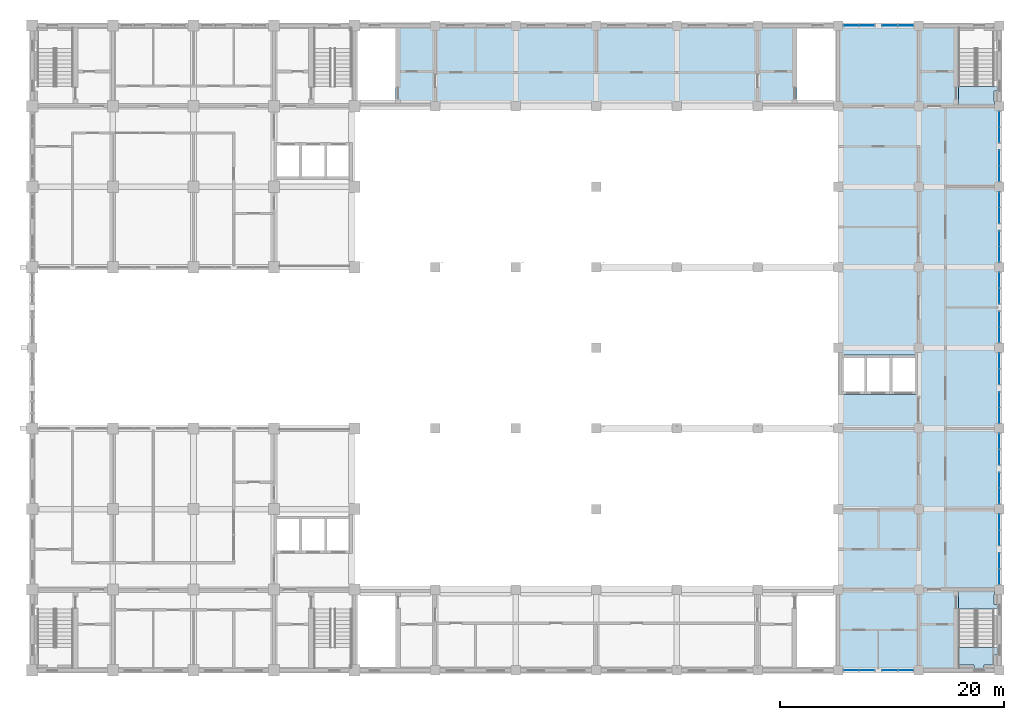
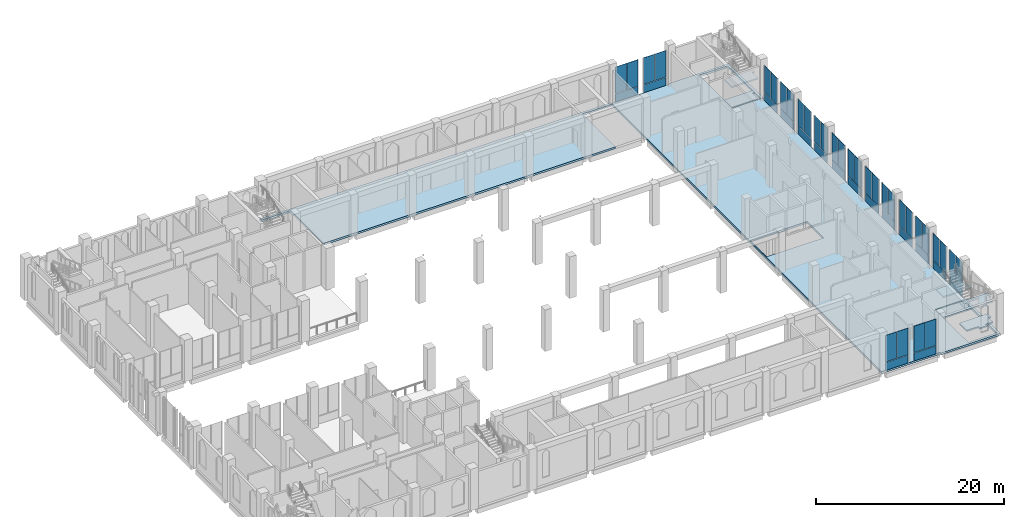
# One storey, part 25 of 48: 48 plates, 8 slabs, 18 elements without a shape of their own.
"""IFC4 building model written with IfcOpenShell, lengths in metres."""

from ifc_helpers import new_model, si_unit, direction, frame, origin, origin_2d, place, context, subcontext, project, spatial, polyline, rectangle, outline, extrude, material, layer, layer_set, type_object, element, aggregate, save


model = new_model("IFC4")

# Units and contexts
model_context = context("Model", 3, precision=1e-05, world=origin(), true_north=direction((0.0, 1.0)))
body_context = subcontext(model_context, "Body", "Model", "MODEL_VIEW")
ifc_project = project(units=[si_unit("LENGTHUNIT", "METRE"), si_unit("AREAUNIT", "SQUARE_METRE"), si_unit("VOLUMEUNIT", "CUBIC_METRE"), si_unit("PLANEANGLEUNIT", "RADIAN"), si_unit("MASSUNIT", "GRAM", prefix="KILO")], contexts=[model_context])

# Site, building, storey
site_placement = place(None, origin())
site = spatial("IfcSite", under=ifc_project, at=site_placement, CompositionType="ELEMENT")
building_placement = place(site_placement, origin())
building = spatial("IfcBuilding", under=site, at=building_placement, Name="Silangan Lancet Faculty of Sciences", CompositionType="ELEMENT")
storey_placement = place(building_placement, frame((0.0, 0.0, 6.0)))
storey = spatial("IfcBuildingStorey", under=building, at=storey_placement, Name="L01", CompositionType="ELEMENT", Elevation=6.0)

# Curtain wall, plates
ifc_material_1 = material(Name="Aluminium framed curtain wall with insulated glass", Category="aluminium")
curtain_wall_type = type_object("IfcCurtainWallType", Name="CW1 Commons and east block glazing", PredefinedType="NOTDEFINED", material=ifc_material_1)
curtain_wall_1_placement = place(storey_placement, origin())
curtain_wall_1 = element("IfcCurtainWall", 1, at=curtain_wall_1_placement, inside=storey, type_object=curtain_wall_type, Name="CW1 East commons L01 bay 1", PredefinedType="NOTDEFINED")
ifc_material_2 = material(Name="Insulated glass unit 8+16+8 low-emissivity", Category="glass")
ifc_layer_1 = layer(ifc_material_2, 0.031982421875)
ifc_layer_set_1 = layer_set([ifc_layer_1], Name="Insulated glass unit 8+16+8 low-emissivity")
plate_type_1 = type_object("IfcPlateType", Name="CP1 Panel vision glass 32", PredefinedType="CURTAIN_PANEL", material=ifc_layer_set_1)
plate_1_placement = place(storey_placement, frame((86.39990234375, 8.358642578125, 1.10009765625), z_axis=(0.0, 0.0, 1.0), x_axis=(0.0, 1.0, 0.0)))
plate_1 = element("IfcPlate", 2, at=plate_1_placement, type_object=plate_type_1, Name="CW1 East commons L01 bay 1 panel 2", PredefinedType="CURTAIN_PANEL", context=body_context, shape_type="SweptSolid", body=[
    extrude(rectangle(XDim=1.347412109375, YDim=0.031982421875, at=origin_2d()), origin(), (0.0, 0.0, 1.0), 3.449951171875),
])
plate_2_placement = place(storey_placement, frame((86.39990234375, 9.766357421875, 1.10009765625), z_axis=(0.0, 0.0, 1.0), x_axis=(0.0, 1.0, 0.0)))
plate_2 = element("IfcPlate", 3, at=plate_2_placement, type_object=plate_type_1, Name="CW1 East commons L01 bay 1 panel 3", PredefinedType="CURTAIN_PANEL", context=body_context, shape_type="SweptSolid", body=[
    extrude(rectangle(XDim=1.347412109375, YDim=0.031982421875, at=origin_2d()), origin(), (0.0, 0.0, 1.0), 3.449951171875),
])

curtain_wall_2_placement = place(storey_placement, origin())
curtain_wall_2 = element("IfcCurtainWall", 4, at=curtain_wall_2_placement, inside=storey, type_object=curtain_wall_type, Name="CW1 East commons L01 bay 2", PredefinedType="NOTDEFINED")
plate_3_placement = place(storey_placement, frame((86.39990234375, 11.833740234375, 1.10009765625), z_axis=(0.0, 0.0, 1.0), x_axis=(0.0, 1.0, 0.0)))
plate_3 = element("IfcPlate", 5, at=plate_3_placement, type_object=plate_type_1, Name="CW1 East commons L01 bay 2 panel 2", PredefinedType="CURTAIN_PANEL", context=body_context, shape_type="SweptSolid", body=[
    extrude(rectangle(XDim=1.347412109375, YDim=0.031982421875, at=origin_2d()), origin(), (0.0, 0.0, 1.0), 3.449951171875),
])
plate_4_placement = place(storey_placement, frame((86.39990234375, 13.2412109375, 1.10009765625), z_axis=(0.0, 0.0, 1.0), x_axis=(0.0, 1.0, 0.0)))
plate_4 = element("IfcPlate", 6, at=plate_4_placement, type_object=plate_type_1, Name="CW1 East commons L01 bay 2 panel 3", PredefinedType="CURTAIN_PANEL", context=body_context, shape_type="SweptSolid", body=[
    extrude(rectangle(XDim=1.347412109375, YDim=0.031982421875, at=origin_2d()), origin(), (0.0, 0.0, 1.0), 3.449951171875),
])

curtain_wall_3_placement = place(storey_placement, origin())
curtain_wall_3 = element("IfcCurtainWall", 7, at=curtain_wall_3_placement, inside=storey, type_object=curtain_wall_type, Name="CW1 East commons L01 bay 3", PredefinedType="NOTDEFINED")
plate_5_placement = place(storey_placement, frame((86.39990234375, 15.558837890625, 1.10009765625), z_axis=(0.0, 0.0, 1.0), x_axis=(0.0, 1.0, 0.0)))
plate_5 = element("IfcPlate", 8, at=plate_5_placement, type_object=plate_type_1, Name="CW1 East commons L01 bay 3 panel 2", PredefinedType="CURTAIN_PANEL", context=body_context, shape_type="SweptSolid", body=[
    extrude(rectangle(XDim=1.347412109375, YDim=0.031982421875, at=origin_2d()), origin(), (0.0, 0.0, 1.0), 3.449951171875),
])
plate_6_placement = place(storey_placement, frame((86.39990234375, 16.96630859375, 1.10009765625), z_axis=(0.0, 0.0, 1.0), x_axis=(0.0, 1.0, 0.0)))
plate_6 = element("IfcPlate", 9, at=plate_6_placement, type_object=plate_type_1, Name="CW1 East commons L01 bay 3 panel 3", PredefinedType="CURTAIN_PANEL", context=body_context, shape_type="SweptSolid", body=[
    extrude(rectangle(XDim=1.347412109375, YDim=0.031982421875, at=origin_2d()), origin(), (0.0, 0.0, 1.0), 3.449951171875),
])

curtain_wall_4_placement = place(storey_placement, origin())
curtain_wall_4 = element("IfcCurtainWall", 10, at=curtain_wall_4_placement, inside=storey, type_object=curtain_wall_type, Name="CW1 East commons L01 bay 4", PredefinedType="NOTDEFINED")
plate_7_placement = place(storey_placement, frame((86.39990234375, 19.03369140625, 1.10009765625), z_axis=(0.0, 0.0, 1.0), x_axis=(0.0, 1.0, 0.0)))
plate_7 = element("IfcPlate", 11, at=plate_7_placement, type_object=plate_type_1, Name="CW1 East commons L01 bay 4 panel 2", PredefinedType="CURTAIN_PANEL", context=body_context, shape_type="SweptSolid", body=[
    extrude(rectangle(XDim=1.347412109375, YDim=0.031982421875, at=origin_2d()), origin(), (0.0, 0.0, 1.0), 3.449951171875),
])
plate_8_placement = place(storey_placement, frame((86.39990234375, 20.441162109375, 1.10009765625), z_axis=(0.0, 0.0, 1.0), x_axis=(0.0, 1.0, 0.0)))
plate_8 = element("IfcPlate", 12, at=plate_8_placement, type_object=plate_type_1, Name="CW1 East commons L01 bay 4 panel 3", PredefinedType="CURTAIN_PANEL", context=body_context, shape_type="SweptSolid", body=[
    extrude(rectangle(XDim=1.347412109375, YDim=0.031982421875, at=origin_2d()), origin(), (0.0, 0.0, 1.0), 3.449951171875),
])

curtain_wall_5_placement = place(storey_placement, origin())
curtain_wall_5 = element("IfcCurtainWall", 13, at=curtain_wall_5_placement, inside=storey, type_object=curtain_wall_type, Name="CW1 East commons L01 bay 5", PredefinedType="NOTDEFINED")
plate_9_placement = place(storey_placement, frame((86.39990234375, 22.7587890625, 1.10009765625), z_axis=(0.0, 0.0, 1.0), x_axis=(0.0, 1.0, 0.0)))
plate_9 = element("IfcPlate", 14, at=plate_9_placement, type_object=plate_type_1, Name="CW1 East commons L01 bay 5 panel 2", PredefinedType="CURTAIN_PANEL", context=body_context, shape_type="SweptSolid", body=[
    extrude(rectangle(XDim=1.347412109375, YDim=0.031982421875, at=origin_2d()), origin(), (0.0, 0.0, 1.0), 3.449951171875),
])
plate_10_placement = place(storey_placement, frame((86.39990234375, 24.166259765625, 1.10009765625), z_axis=(0.0, 0.0, 1.0), x_axis=(0.0, 1.0, 0.0)))
plate_10 = element("IfcPlate", 15, at=plate_10_placement, type_object=plate_type_1, Name="CW1 East commons L01 bay 5 panel 3", PredefinedType="CURTAIN_PANEL", context=body_context, shape_type="SweptSolid", body=[
    extrude(rectangle(XDim=1.347412109375, YDim=0.031982421875, at=origin_2d()), origin(), (0.0, 0.0, 1.0), 3.449951171875),
])

curtain_wall_6_placement = place(storey_placement, origin())
curtain_wall_6 = element("IfcCurtainWall", 16, at=curtain_wall_6_placement, inside=storey, type_object=curtain_wall_type, Name="CW1 East commons L01 bay 6", PredefinedType="NOTDEFINED")
plate_11_placement = place(storey_placement, frame((86.39990234375, 26.233642578125, 1.10009765625), z_axis=(0.0, 0.0, 1.0), x_axis=(0.0, 1.0, 0.0)))
plate_11 = element("IfcPlate", 17, at=plate_11_placement, type_object=plate_type_1, Name="CW1 East commons L01 bay 6 panel 2", PredefinedType="CURTAIN_PANEL", context=body_context, shape_type="SweptSolid", body=[
    extrude(rectangle(XDim=1.347412109375, YDim=0.031982421875, at=origin_2d()), origin(), (0.0, 0.0, 1.0), 3.449951171875),
])
plate_12_placement = place(storey_placement, frame((86.39990234375, 27.641357421875, 1.10009765625), z_axis=(0.0, 0.0, 1.0), x_axis=(0.0, 1.0, 0.0)))
plate_12 = element("IfcPlate", 18, at=plate_12_placement, type_object=plate_type_1, Name="CW1 East commons L01 bay 6 panel 3", PredefinedType="CURTAIN_PANEL", context=body_context, shape_type="SweptSolid", body=[
    extrude(rectangle(XDim=1.347412109375, YDim=0.031982421875, at=origin_2d()), origin(), (0.0, 0.0, 1.0), 3.449951171875),
])

curtain_wall_7_placement = place(storey_placement, origin())
curtain_wall_7 = element("IfcCurtainWall", 19, at=curtain_wall_7_placement, inside=storey, type_object=curtain_wall_type, Name="CW1 East commons L01 bay 7", PredefinedType="NOTDEFINED")
plate_13_placement = place(storey_placement, frame((86.39990234375, 29.958740234375, 1.10009765625), z_axis=(0.0, 0.0, 1.0), x_axis=(0.0, 1.0, 0.0)))
plate_13 = element("IfcPlate", 20, at=plate_13_placement, type_object=plate_type_1, Name="CW1 East commons L01 bay 7 panel 2", PredefinedType="CURTAIN_PANEL", context=body_context, shape_type="SweptSolid", body=[
    extrude(rectangle(XDim=1.347412109375, YDim=0.031982421875, at=origin_2d()), origin(), (0.0, 0.0, 1.0), 3.449951171875),
])
plate_14_placement = place(storey_placement, frame((86.39990234375, 31.3662109375, 1.10009765625), z_axis=(0.0, 0.0, 1.0), x_axis=(0.0, 1.0, 0.0)))
plate_14 = element("IfcPlate", 21, at=plate_14_placement, type_object=plate_type_1, Name="CW1 East commons L01 bay 7 panel 3", PredefinedType="CURTAIN_PANEL", context=body_context, shape_type="SweptSolid", body=[
    extrude(rectangle(XDim=1.347412109375, YDim=0.031982421875, at=origin_2d()), origin(), (0.0, 0.0, 1.0), 3.449951171875),
])

curtain_wall_8_placement = place(storey_placement, origin())
curtain_wall_8 = element("IfcCurtainWall", 22, at=curtain_wall_8_placement, inside=storey, type_object=curtain_wall_type, Name="CW1 East commons L01 bay 8", PredefinedType="NOTDEFINED")
plate_15_placement = place(storey_placement, frame((86.39990234375, 33.43359375, 1.10009765625), z_axis=(0.0, 0.0, 1.0), x_axis=(0.0, 1.0, 0.0)))
plate_15 = element("IfcPlate", 23, at=plate_15_placement, type_object=plate_type_1, Name="CW1 East commons L01 bay 8 panel 2", PredefinedType="CURTAIN_PANEL", context=body_context, shape_type="SweptSolid", body=[
    extrude(rectangle(XDim=1.34765625, YDim=0.031982421875, at=origin_2d()), origin(), (0.0, 0.0, 1.0), 3.449951171875),
])
plate_16_placement = place(storey_placement, frame((86.39990234375, 34.84130859375, 1.10009765625), z_axis=(0.0, 0.0, 1.0), x_axis=(0.0, 1.0, 0.0)))
plate_16 = element("IfcPlate", 24, at=plate_16_placement, type_object=plate_type_1, Name="CW1 East commons L01 bay 8 panel 3", PredefinedType="CURTAIN_PANEL", context=body_context, shape_type="SweptSolid", body=[
    extrude(rectangle(XDim=1.34765625, YDim=0.031982421875, at=origin_2d()), origin(), (0.0, 0.0, 1.0), 3.449951171875),
])

curtain_wall_9_placement = place(storey_placement, origin())
curtain_wall_9 = element("IfcCurtainWall", 25, at=curtain_wall_9_placement, inside=storey, type_object=curtain_wall_type, Name="CW1 East commons L01 bay 9", PredefinedType="NOTDEFINED")
plate_17_placement = place(storey_placement, frame((86.39990234375, 37.15869140625, 1.10009765625), z_axis=(0.0, 0.0, 1.0), x_axis=(0.0, 1.0, 0.0)))
plate_17 = element("IfcPlate", 26, at=plate_17_placement, type_object=plate_type_1, Name="CW1 East commons L01 bay 9 panel 2", PredefinedType="CURTAIN_PANEL", context=body_context, shape_type="SweptSolid", body=[
    extrude(rectangle(XDim=1.34765625, YDim=0.031982421875, at=origin_2d()), origin(), (0.0, 0.0, 1.0), 3.449951171875),
])
plate_18_placement = place(storey_placement, frame((86.39990234375, 38.56640625, 1.10009765625), z_axis=(0.0, 0.0, 1.0), x_axis=(0.0, 1.0, 0.0)))
plate_18 = element("IfcPlate", 27, at=plate_18_placement, type_object=plate_type_1, Name="CW1 East commons L01 bay 9 panel 3", PredefinedType="CURTAIN_PANEL", context=body_context, shape_type="SweptSolid", body=[
    extrude(rectangle(XDim=1.34765625, YDim=0.031982421875, at=origin_2d()), origin(), (0.0, 0.0, 1.0), 3.449951171875),
])

curtain_wall_10_placement = place(storey_placement, origin())
curtain_wall_10 = element("IfcCurtainWall", 28, at=curtain_wall_10_placement, inside=storey, type_object=curtain_wall_type, Name="CW1 East commons L01 bay 10", PredefinedType="NOTDEFINED")
plate_19_placement = place(storey_placement, frame((86.39990234375, 40.6337890625, 1.10009765625), z_axis=(0.0, 0.0, 1.0), x_axis=(0.0, 1.0, 0.0)))
plate_19 = element("IfcPlate", 29, at=plate_19_placement, type_object=plate_type_1, Name="CW1 East commons L01 bay 10 panel 2", PredefinedType="CURTAIN_PANEL", context=body_context, shape_type="SweptSolid", body=[
    extrude(rectangle(XDim=1.347412109375, YDim=0.031982421875, at=origin_2d()), origin(), (0.0, 0.0, 1.0), 3.449951171875),
])
plate_20_placement = place(storey_placement, frame((86.39990234375, 42.041259765625, 1.10009765625), z_axis=(0.0, 0.0, 1.0), x_axis=(0.0, 1.0, 0.0)))
plate_20 = element("IfcPlate", 30, at=plate_20_placement, type_object=plate_type_1, Name="CW1 East commons L01 bay 10 panel 3", PredefinedType="CURTAIN_PANEL", context=body_context, shape_type="SweptSolid", body=[
    extrude(rectangle(XDim=1.347412109375, YDim=0.031982421875, at=origin_2d()), origin(), (0.0, 0.0, 1.0), 3.449951171875),
])

curtain_wall_11_placement = place(storey_placement, origin())
curtain_wall_11 = element("IfcCurtainWall", 31, at=curtain_wall_11_placement, inside=storey, type_object=curtain_wall_type, Name="CW1 East commons L01 bay 11", PredefinedType="NOTDEFINED")
plate_21_placement = place(storey_placement, frame((86.39990234375, 44.358642578125, 1.10009765625), z_axis=(0.0, 0.0, 1.0), x_axis=(0.0, 1.0, 0.0)))
plate_21 = element("IfcPlate", 32, at=plate_21_placement, type_object=plate_type_1, Name="CW1 East commons L01 bay 11 panel 2", PredefinedType="CURTAIN_PANEL", context=body_context, shape_type="SweptSolid", body=[
    extrude(rectangle(XDim=1.347412109375, YDim=0.031982421875, at=origin_2d()), origin(), (0.0, 0.0, 1.0), 3.449951171875),
])
plate_22_placement = place(storey_placement, frame((86.39990234375, 45.766357421875, 1.10009765625), z_axis=(0.0, 0.0, 1.0), x_axis=(0.0, 1.0, 0.0)))
plate_22 = element("IfcPlate", 33, at=plate_22_placement, type_object=plate_type_1, Name="CW1 East commons L01 bay 11 panel 3", PredefinedType="CURTAIN_PANEL", context=body_context, shape_type="SweptSolid", body=[
    extrude(rectangle(XDim=1.347412109375, YDim=0.031982421875, at=origin_2d()), origin(), (0.0, 0.0, 1.0), 3.449951171875),
])

curtain_wall_12_placement = place(storey_placement, origin())
curtain_wall_12 = element("IfcCurtainWall", 34, at=curtain_wall_12_placement, inside=storey, type_object=curtain_wall_type, Name="CW1 East commons L01 bay 12", PredefinedType="NOTDEFINED")
plate_23_placement = place(storey_placement, frame((86.39990234375, 47.833740234375, 1.10009765625), z_axis=(0.0, 0.0, 1.0), x_axis=(0.0, 1.0, 0.0)))
plate_23 = element("IfcPlate", 35, at=plate_23_placement, type_object=plate_type_1, Name="CW1 East commons L01 bay 12 panel 2", PredefinedType="CURTAIN_PANEL", context=body_context, shape_type="SweptSolid", body=[
    extrude(rectangle(XDim=1.347412109375, YDim=0.031982421875, at=origin_2d()), origin(), (0.0, 0.0, 1.0), 3.449951171875),
])
plate_24_placement = place(storey_placement, frame((86.39990234375, 49.2412109375, 1.10009765625), z_axis=(0.0, 0.0, 1.0), x_axis=(0.0, 1.0, 0.0)))
plate_24 = element("IfcPlate", 36, at=plate_24_placement, type_object=plate_type_1, Name="CW1 East commons L01 bay 12 panel 3", PredefinedType="CURTAIN_PANEL", context=body_context, shape_type="SweptSolid", body=[
    extrude(rectangle(XDim=1.347412109375, YDim=0.031982421875, at=origin_2d()), origin(), (0.0, 0.0, 1.0), 3.449951171875),
])

curtain_wall_13_placement = place(storey_placement, origin())
curtain_wall_13 = element("IfcCurtainWall", 37, at=curtain_wall_13_placement, inside=storey, type_object=curtain_wall_type, Name="CW1 East block south L01 bay 1", PredefinedType="NOTDEFINED")
plate_25_placement = place(storey_placement, frame((73.15869140625, 0.0, 1.10009765625), z_axis=(0.0, 0.0, 1.0), x_axis=(1.0, 0.0, 0.0)))
plate_25 = element("IfcPlate", 38, at=plate_25_placement, type_object=plate_type_1, Name="CW1 East block south L01 bay 1 panel 2", PredefinedType="CURTAIN_PANEL", context=body_context, shape_type="SweptSolid", body=[
    extrude(rectangle(XDim=1.34765625, YDim=0.031982421875, at=origin_2d()), origin(), (0.0, 0.0, 1.0), 3.449951171875),
])
plate_26_placement = place(storey_placement, frame((74.56640625, 0.0, 1.10009765625), z_axis=(0.0, 0.0, 1.0), x_axis=(1.0, 0.0, 0.0)))
plate_26 = element("IfcPlate", 39, at=plate_26_placement, type_object=plate_type_1, Name="CW1 East block south L01 bay 1 panel 3", PredefinedType="CURTAIN_PANEL", context=body_context, shape_type="SweptSolid", body=[
    extrude(rectangle(XDim=1.34765625, YDim=0.031982421875, at=origin_2d()), origin(), (0.0, 0.0, 1.0), 3.449951171875),
])

curtain_wall_14_placement = place(storey_placement, origin())
curtain_wall_14 = element("IfcCurtainWall", 40, at=curtain_wall_14_placement, inside=storey, type_object=curtain_wall_type, Name="CW1 East block south L01 bay 2", PredefinedType="NOTDEFINED")
plate_27_placement = place(storey_placement, frame((76.6337890625, 0.0, 1.10009765625), z_axis=(0.0, 0.0, 1.0), x_axis=(1.0, 0.0, 0.0)))
plate_27 = element("IfcPlate", 41, at=plate_27_placement, type_object=plate_type_1, Name="CW1 East block south L01 bay 2 panel 2", PredefinedType="CURTAIN_PANEL", context=body_context, shape_type="SweptSolid", body=[
    extrude(rectangle(XDim=1.347412109375, YDim=0.031982421875, at=origin_2d()), origin(), (0.0, 0.0, 1.0), 3.449951171875),
])
plate_28_placement = place(storey_placement, frame((78.041259765625, 0.0, 1.10009765625), z_axis=(0.0, 0.0, 1.0), x_axis=(1.0, 0.0, 0.0)))
plate_28 = element("IfcPlate", 42, at=plate_28_placement, type_object=plate_type_1, Name="CW1 East block south L01 bay 2 panel 3", PredefinedType="CURTAIN_PANEL", context=body_context, shape_type="SweptSolid", body=[
    extrude(rectangle(XDim=1.347412109375, YDim=0.031982421875, at=origin_2d()), origin(), (0.0, 0.0, 1.0), 3.449951171875),
])

curtain_wall_15_placement = place(storey_placement, origin())
curtain_wall_15 = element("IfcCurtainWall", 43, at=curtain_wall_15_placement, inside=storey, type_object=curtain_wall_type, Name="CW1 East block north L01 bay 1", PredefinedType="NOTDEFINED")
plate_29_placement = place(storey_placement, frame((78.041259765625, 57.60009765625, 1.10009765625), z_axis=(0.0, 0.0, 1.0), x_axis=(-1.0, 0.0, 0.0)))
plate_29 = element("IfcPlate", 44, at=plate_29_placement, type_object=plate_type_1, Name="CW1 East block north L01 bay 1 panel 2", PredefinedType="CURTAIN_PANEL", context=body_context, shape_type="SweptSolid", body=[
    extrude(rectangle(XDim=1.347412109375, YDim=0.031982421875, at=origin_2d()), origin(), (0.0, 0.0, 1.0), 3.449951171875),
])
plate_30_placement = place(storey_placement, frame((76.6337890625, 57.60009765625, 1.10009765625), z_axis=(0.0, 0.0, 1.0), x_axis=(-1.0, 0.0, 0.0)))
plate_30 = element("IfcPlate", 45, at=plate_30_placement, type_object=plate_type_1, Name="CW1 East block north L01 bay 1 panel 3", PredefinedType="CURTAIN_PANEL", context=body_context, shape_type="SweptSolid", body=[
    extrude(rectangle(XDim=1.347412109375, YDim=0.031982421875, at=origin_2d()), origin(), (0.0, 0.0, 1.0), 3.449951171875),
])

curtain_wall_16_placement = place(storey_placement, origin())
curtain_wall_16 = element("IfcCurtainWall", 46, at=curtain_wall_16_placement, inside=storey, type_object=curtain_wall_type, Name="CW1 East block north L01 bay 2", PredefinedType="NOTDEFINED")
plate_31_placement = place(storey_placement, frame((74.56640625, 57.60009765625, 1.10009765625), z_axis=(0.0, 0.0, 1.0), x_axis=(-1.0, 0.0, 0.0)))
plate_31 = element("IfcPlate", 47, at=plate_31_placement, type_object=plate_type_1, Name="CW1 East block north L01 bay 2 panel 2", PredefinedType="CURTAIN_PANEL", context=body_context, shape_type="SweptSolid", body=[
    extrude(rectangle(XDim=1.34765625, YDim=0.031982421875, at=origin_2d()), origin(), (0.0, 0.0, 1.0), 3.449951171875),
])
plate_32_placement = place(storey_placement, frame((73.15869140625, 57.60009765625, 1.10009765625), z_axis=(0.0, 0.0, 1.0), x_axis=(-1.0, 0.0, 0.0)))
plate_32 = element("IfcPlate", 48, at=plate_32_placement, type_object=plate_type_1, Name="CW1 East block north L01 bay 2 panel 3", PredefinedType="CURTAIN_PANEL", context=body_context, shape_type="SweptSolid", body=[
    extrude(rectangle(XDim=1.34765625, YDim=0.031982421875, at=origin_2d()), origin(), (0.0, 0.0, 1.0), 3.449951171875),
])

# Plate
ifc_material_3 = material(Name="Laminated insulated glass unit 10.76+14+8", Category="glass")
ifc_layer_2 = layer(ifc_material_3, 0.035888671875)
ifc_layer_set_2 = layer_set([ifc_layer_2], Name="Laminated insulated glass unit 10.76+14+8")
plate_type_2 = type_object("IfcPlateType", Name="CP2 Panel laminated glass 36", PredefinedType="CURTAIN_PANEL", material=ifc_layer_set_2)
plate_33_placement = place(storey_placement, frame((86.39990234375, 9.0625, 0.0), z_axis=(0.0, 0.0, 1.0), x_axis=(0.0, 1.0, 0.0)))
plate_33 = element("IfcPlate", 49, at=plate_33_placement, type_object=plate_type_2, Name="CW1 East commons L01 bay 1 panel 1", PredefinedType="CURTAIN_PANEL", context=body_context, shape_type="SweptSolid", body=[
    extrude(rectangle(XDim=2.7548828125, YDim=0.035888671875, at=origin_2d()), origin(), (0.0, 0.0, 1.0), 1.0400390625),
])

aggregate(curtain_wall_1, [plate_33, plate_1, plate_2])

plate_34_placement = place(storey_placement, frame((86.39990234375, 12.53759765625, 0.0), z_axis=(0.0, 0.0, 1.0), x_axis=(0.0, 1.0, 0.0)))
plate_34 = element("IfcPlate", 50, at=plate_34_placement, type_object=plate_type_2, Name="CW1 East commons L01 bay 2 panel 1", PredefinedType="CURTAIN_PANEL", context=body_context, shape_type="SweptSolid", body=[
    extrude(rectangle(XDim=2.7548828125, YDim=0.035888671875, at=origin_2d()), origin(), (0.0, 0.0, 1.0), 1.0400390625),
])

aggregate(curtain_wall_2, [plate_34, plate_3, plate_4])

plate_35_placement = place(storey_placement, frame((86.39990234375, 16.262451171875, 0.0), z_axis=(0.0, 0.0, 1.0), x_axis=(0.0, 1.0, 0.0)))
plate_35 = element("IfcPlate", 51, at=plate_35_placement, type_object=plate_type_2, Name="CW1 East commons L01 bay 3 panel 1", PredefinedType="CURTAIN_PANEL", context=body_context, shape_type="SweptSolid", body=[
    extrude(rectangle(XDim=2.7548828125, YDim=0.035888671875, at=origin_2d()), origin(), (0.0, 0.0, 1.0), 1.0400390625),
])

aggregate(curtain_wall_3, [plate_35, plate_5, plate_6])

plate_36_placement = place(storey_placement, frame((86.39990234375, 19.737548828125, 0.0), z_axis=(0.0, 0.0, 1.0), x_axis=(0.0, 1.0, 0.0)))
plate_36 = element("IfcPlate", 52, at=plate_36_placement, type_object=plate_type_2, Name="CW1 East commons L01 bay 4 panel 1", PredefinedType="CURTAIN_PANEL", context=body_context, shape_type="SweptSolid", body=[
    extrude(rectangle(XDim=2.7548828125, YDim=0.035888671875, at=origin_2d()), origin(), (0.0, 0.0, 1.0), 1.0400390625),
])

aggregate(curtain_wall_4, [plate_36, plate_7, plate_8])

plate_37_placement = place(storey_placement, frame((86.39990234375, 23.46240234375, 0.0), z_axis=(0.0, 0.0, 1.0), x_axis=(0.0, 1.0, 0.0)))
plate_37 = element("IfcPlate", 53, at=plate_37_placement, type_object=plate_type_2, Name="CW1 East commons L01 bay 5 panel 1", PredefinedType="CURTAIN_PANEL", context=body_context, shape_type="SweptSolid", body=[
    extrude(rectangle(XDim=2.7548828125, YDim=0.035888671875, at=origin_2d()), origin(), (0.0, 0.0, 1.0), 1.0400390625),
])

aggregate(curtain_wall_5, [plate_37, plate_9, plate_10])

plate_38_placement = place(storey_placement, frame((86.39990234375, 26.9375, 0.0), z_axis=(0.0, 0.0, 1.0), x_axis=(0.0, 1.0, 0.0)))
plate_38 = element("IfcPlate", 54, at=plate_38_placement, type_object=plate_type_2, Name="CW1 East commons L01 bay 6 panel 1", PredefinedType="CURTAIN_PANEL", context=body_context, shape_type="SweptSolid", body=[
    extrude(rectangle(XDim=2.7548828125, YDim=0.035888671875, at=origin_2d()), origin(), (0.0, 0.0, 1.0), 1.0400390625),
])

aggregate(curtain_wall_6, [plate_38, plate_11, plate_12])

plate_39_placement = place(storey_placement, frame((86.39990234375, 30.662353515625, 0.0), z_axis=(0.0, 0.0, 1.0), x_axis=(0.0, 1.0, 0.0)))
plate_39 = element("IfcPlate", 55, at=plate_39_placement, type_object=plate_type_2, Name="CW1 East commons L01 bay 7 panel 1", PredefinedType="CURTAIN_PANEL", context=body_context, shape_type="SweptSolid", body=[
    extrude(rectangle(XDim=2.7548828125, YDim=0.035888671875, at=origin_2d()), origin(), (0.0, 0.0, 1.0), 1.0400390625),
])

aggregate(curtain_wall_7, [plate_39, plate_13, plate_14])

plate_40_placement = place(storey_placement, frame((86.39990234375, 34.137451171875, 0.0), z_axis=(0.0, 0.0, 1.0), x_axis=(0.0, 1.0, 0.0)))
plate_40 = element("IfcPlate", 56, at=plate_40_placement, type_object=plate_type_2, Name="CW1 East commons L01 bay 8 panel 1", PredefinedType="CURTAIN_PANEL", context=body_context, shape_type="SweptSolid", body=[
    extrude(rectangle(XDim=2.755126953125, YDim=0.035888671875, at=origin_2d()), origin(), (0.0, 0.0, 1.0), 1.0400390625),
])

aggregate(curtain_wall_8, [plate_40, plate_15, plate_16])

plate_41_placement = place(storey_placement, frame((86.39990234375, 37.862548828125, 0.0), z_axis=(0.0, 0.0, 1.0), x_axis=(0.0, 1.0, 0.0)))
plate_41 = element("IfcPlate", 57, at=plate_41_placement, type_object=plate_type_2, Name="CW1 East commons L01 bay 9 panel 1", PredefinedType="CURTAIN_PANEL", context=body_context, shape_type="SweptSolid", body=[
    extrude(rectangle(XDim=2.755126953125, YDim=0.035888671875, at=origin_2d()), origin(), (0.0, 0.0, 1.0), 1.0400390625),
])

aggregate(curtain_wall_9, [plate_41, plate_17, plate_18])

plate_42_placement = place(storey_placement, frame((86.39990234375, 41.337646484375, 0.0), z_axis=(0.0, 0.0, 1.0), x_axis=(0.0, 1.0, 0.0)))
plate_42 = element("IfcPlate", 58, at=plate_42_placement, type_object=plate_type_2, Name="CW1 East commons L01 bay 10 panel 1", PredefinedType="CURTAIN_PANEL", context=body_context, shape_type="SweptSolid", body=[
    extrude(rectangle(XDim=2.7548828125, YDim=0.035888671875, at=origin_2d()), origin(), (0.0, 0.0, 1.0), 1.0400390625),
])

aggregate(curtain_wall_10, [plate_42, plate_19, plate_20])

plate_43_placement = place(storey_placement, frame((86.39990234375, 45.0625, 0.0), z_axis=(0.0, 0.0, 1.0), x_axis=(0.0, 1.0, 0.0)))
plate_43 = element("IfcPlate", 59, at=plate_43_placement, type_object=plate_type_2, Name="CW1 East commons L01 bay 11 panel 1", PredefinedType="CURTAIN_PANEL", context=body_context, shape_type="SweptSolid", body=[
    extrude(rectangle(XDim=2.7548828125, YDim=0.035888671875, at=origin_2d()), origin(), (0.0, 0.0, 1.0), 1.0400390625),
])

aggregate(curtain_wall_11, [plate_43, plate_21, plate_22])

plate_44_placement = place(storey_placement, frame((86.39990234375, 48.53759765625, 0.0), z_axis=(0.0, 0.0, 1.0), x_axis=(0.0, 1.0, 0.0)))
plate_44 = element("IfcPlate", 60, at=plate_44_placement, type_object=plate_type_2, Name="CW1 East commons L01 bay 12 panel 1", PredefinedType="CURTAIN_PANEL", context=body_context, shape_type="SweptSolid", body=[
    extrude(rectangle(XDim=2.7548828125, YDim=0.035888671875, at=origin_2d()), origin(), (0.0, 0.0, 1.0), 1.0400390625),
])

aggregate(curtain_wall_12, [plate_44, plate_23, plate_24])

plate_45_placement = place(storey_placement, frame((73.862548828125, 0.0, 0.0), z_axis=(0.0, 0.0, 1.0), x_axis=(1.0, 0.0, 0.0)))
plate_45 = element("IfcPlate", 61, at=plate_45_placement, type_object=plate_type_2, Name="CW1 East block south L01 bay 1 panel 1", PredefinedType="CURTAIN_PANEL", context=body_context, shape_type="SweptSolid", body=[
    extrude(rectangle(XDim=2.755126953125, YDim=0.035888671875, at=origin_2d()), origin(), (0.0, 0.0, 1.0), 1.0400390625),
])

aggregate(curtain_wall_13, [plate_45, plate_25, plate_26])

plate_46_placement = place(storey_placement, frame((77.337646484375, 0.0, 0.0), z_axis=(0.0, 0.0, 1.0), x_axis=(1.0, 0.0, 0.0)))
plate_46 = element("IfcPlate", 62, at=plate_46_placement, type_object=plate_type_2, Name="CW1 East block south L01 bay 2 panel 1", PredefinedType="CURTAIN_PANEL", context=body_context, shape_type="SweptSolid", body=[
    extrude(rectangle(XDim=2.7548828125, YDim=0.035888671875, at=origin_2d()), origin(), (0.0, 0.0, 1.0), 1.0400390625),
])

aggregate(curtain_wall_14, [plate_46, plate_27, plate_28])

plate_47_placement = place(storey_placement, frame((77.337646484375, 57.60009765625, 0.0), z_axis=(0.0, 0.0, 1.0), x_axis=(-1.0, 0.0, 0.0)))
plate_47 = element("IfcPlate", 63, at=plate_47_placement, type_object=plate_type_2, Name="CW1 East block north L01 bay 1 panel 1", PredefinedType="CURTAIN_PANEL", context=body_context, shape_type="SweptSolid", body=[
    extrude(rectangle(XDim=2.7548828125, YDim=0.035888671875, at=origin_2d()), origin(), (0.0, 0.0, 1.0), 1.0400390625),
])

aggregate(curtain_wall_15, [plate_47, plate_29, plate_30])

plate_48_placement = place(storey_placement, frame((73.862548828125, 57.60009765625, 0.0), z_axis=(0.0, 0.0, 1.0), x_axis=(-1.0, 0.0, 0.0)))
plate_48 = element("IfcPlate", 64, at=plate_48_placement, type_object=plate_type_2, Name="CW1 East block north L01 bay 2 panel 1", PredefinedType="CURTAIN_PANEL", context=body_context, shape_type="SweptSolid", body=[
    extrude(rectangle(XDim=2.755126953125, YDim=0.035888671875, at=origin_2d()), origin(), (0.0, 0.0, 1.0), 1.0400390625),
])

aggregate(curtain_wall_16, [plate_48, plate_31, plate_32])

# Slabs
ifc_material_4 = material(Name="Concrete C35/45", Category="concrete")
ifc_layer_3 = layer(ifc_material_4, 0.25)
ifc_layer_set_3 = layer_set([ifc_layer_3], Name="Concrete C35/45")
slab_type_1 = type_object("IfcSlabType", Name="SLAB FLOOR 250", PredefinedType="FLOOR", material=ifc_layer_set_3)
slab_1_placement = place(storey_placement, frame((0.0, 0.0, -0.25)))
element("IfcSlab", 65, at=slab_1_placement, inside=storey, type_object=slab_type_1, Name="SLAB-L01-EB", PredefinedType="FLOOR", context=body_context, shape_type="SweptSolid", body=[
    extrude(outline(polyline([(79.199951171875, 0.0), (79.199951171875, -0.14990234375), (86.550048828125, -0.14990234375), (86.550048828125, 7.199951171875), (86.39990234375, 7.199951171875), (86.39990234375, 50.39990234375), (86.550048828125, 50.39990234375), (86.550048828125, 57.75), (79.199951171875, 57.75), (79.199951171875, 57.60009765625), (72.0, 57.60009765625), (72.0, 0.0), (79.199951171875, 0.0)]), holes=[polyline([(82.75, 7.199951171875), (86.25, 7.199951171875), (86.25, 0.14990234375), (82.75, 0.14990234375), (82.75, 7.199951171875)]), polyline([(79.10009765625, 28.14990234375), (79.10009765625, 24.64990234375), (72.10009765625, 24.64990234375), (72.10009765625, 28.14990234375), (79.10009765625, 28.14990234375)]), polyline([(86.25, 50.39990234375), (82.75, 50.39990234375), (82.75, 57.449951171875), (86.25, 57.449951171875), (86.25, 50.39990234375)])]), origin(), (0.0, 0.0, 1.0), 0.25),
])
slab_2_placement = place(storey_placement, frame((0.0, 0.0, -0.25)))
element("IfcSlab", 66, at=slab_2_placement, inside=storey, type_object=slab_type_1, Name="SLAB-L01-POD-2", PredefinedType="FLOOR", context=body_context, shape_type="SweptSolid", body=[
    extrude(outline(polyline([(68.35009765625, 57.449951171875), (72.0, 57.449951171875), (72.0, 57.75), (28.800048828125, 57.75), (28.800048828125, 57.449951171875), (32.449951171875, 57.449951171875), (32.449951171875, 50.39990234375), (68.35009765625, 50.39990234375), (68.35009765625, 57.449951171875)])), origin(), (0.0, 0.0, 1.0), 0.25),
])

# Stair, slabs
ifc_material_5 = material(Name="Concrete C40/50", Category="concrete")
stair_type = type_object("IfcStairType", Name="TURRET STAIR 1550 FOUR-FLIGHT", PredefinedType="DOUBLE_RETURN_STAIR", material=ifc_material_5)
stair_1_placement = place(storey_placement, origin())
stair_1 = element("IfcStair", 67, at=stair_1_placement, inside=storey, type_object=stair_type, Name="EB-A stair L01", PredefinedType="DOUBLE_RETURN_STAIR")
ifc_material_6 = material(Name="Concrete C40/50", Category="concrete")
ifc_layer_4 = layer(ifc_material_6, 0.179931640625)
ifc_layer_set_4 = layer_set([ifc_layer_4], Name="Concrete C40/50")
slab_type_2 = type_object("IfcSlabType", Name="TURRET STAIR LANDING RC 180", PredefinedType="LANDING", material=ifc_layer_set_4)
slab_3_placement = place(storey_placement, frame((0.0, 0.0, -0.179931640625)))
slab_3 = element("IfcSlab", 68, at=slab_3_placement, type_object=slab_type_2, Name="STR9 landing 1", PredefinedType="LANDING", context=body_context, shape_type="SweptSolid", body=[
    extrude(outline(polyline([(85.949951171875, 6.77490234375), (85.949951171875, 5.85009765625), (86.25, 5.85009765625), (86.25, 5.449951171875), (82.75, 5.449951171875), (82.75, 7.074951171875), (85.97509765625, 7.074951171875), (85.97509765625, 6.77490234375), (85.949951171875, 6.77490234375)])), origin(), (0.0, 0.0, 1.0), 0.179931640625),
])
slab_4_placement = place(storey_placement, frame((0.0, 0.0, 1.169921875)))
slab_4 = element("IfcSlab", 69, at=slab_4_placement, type_object=slab_type_2, Name="STR9 landing 2", PredefinedType="LANDING", context=body_context, shape_type="SweptSolid", body=[
    extrude(outline(polyline([(84.14990234375, 0.14990234375), (84.14990234375, 0.449951171875), (82.75, 0.449951171875), (82.75, 2.050048828125), (86.25, 2.050048828125), (86.25, 1.35009765625), (85.949951171875, 1.35009765625), (85.949951171875, 0.449951171875), (85.050048828125, 0.449951171875), (85.050048828125, 0.14990234375), (84.14990234375, 0.14990234375)])), origin(), (0.0, 0.0, 1.0), 0.18017578125),
])
slab_5_placement = place(storey_placement, frame((0.0, 0.0, 2.52001953125)))
slab_5 = element("IfcSlab", 70, at=slab_5_placement, type_object=slab_type_2, Name="STR9 landing 3", PredefinedType="LANDING", context=body_context, shape_type="SweptSolid", body=[
    extrude(outline(polyline([(85.949951171875, 6.77490234375), (85.949951171875, 5.85009765625), (86.25, 5.85009765625), (86.25, 5.449951171875), (82.75, 5.449951171875), (82.75, 7.074951171875), (85.97509765625, 7.074951171875), (85.97509765625, 6.77490234375), (85.949951171875, 6.77490234375)])), origin(), (0.0, 0.0, 1.0), 0.179931640625),
])
slab_6_placement = place(storey_placement, frame((0.0, 0.0, 3.8701171875)))
slab_6 = element("IfcSlab", 71, at=slab_6_placement, type_object=slab_type_2, Name="STR9 landing 4", PredefinedType="LANDING", context=body_context, shape_type="SweptSolid", body=[
    extrude(outline(polyline([(84.14990234375, 0.14990234375), (84.14990234375, 0.449951171875), (82.75, 0.449951171875), (82.75, 2.050048828125), (86.25, 2.050048828125), (86.25, 1.35009765625), (85.949951171875, 1.35009765625), (85.949951171875, 0.449951171875), (85.050048828125, 0.449951171875), (85.050048828125, 0.14990234375), (84.14990234375, 0.14990234375)])), origin(), (0.0, 0.0, 1.0), 0.179931640625),
])
aggregate(stair_1, [slab_3, slab_4, slab_5, slab_6])

stair_2_placement = place(storey_placement, origin())
stair_2 = element("IfcStair", 72, at=stair_2_placement, inside=storey, type_object=stair_type, Name="EB-B stair L01", PredefinedType="DOUBLE_RETURN_STAIR")
slab_7_placement = place(storey_placement, frame((0.0, 0.0, -0.179931640625)))
slab_7 = element("IfcSlab", 73, at=slab_7_placement, type_object=slab_type_2, Name="STR10 landing 1", PredefinedType="LANDING", context=body_context, shape_type="SweptSolid", body=[
    extrude(outline(polyline([(85.949951171875, 50.824951171875), (85.97509765625, 50.824951171875), (85.97509765625, 50.52490234375), (82.75, 50.52490234375), (82.75, 52.14990234375), (86.25, 52.14990234375), (86.25, 51.75), (85.949951171875, 51.75), (85.949951171875, 50.824951171875)])), origin(), (0.0, 0.0, 1.0), 0.179931640625),
])
slab_8_placement = place(storey_placement, frame((0.0, 0.0, 2.52001953125)))
slab_8 = element("IfcSlab", 74, at=slab_8_placement, type_object=slab_type_2, Name="STR10 landing 3", PredefinedType="LANDING", context=body_context, shape_type="SweptSolid", body=[
    extrude(outline(polyline([(85.949951171875, 50.824951171875), (85.97509765625, 50.824951171875), (85.97509765625, 50.52490234375), (82.75, 50.52490234375), (82.75, 52.14990234375), (86.25, 52.14990234375), (86.25, 51.75), (85.949951171875, 51.75), (85.949951171875, 50.824951171875)])), origin(), (0.0, 0.0, 1.0), 0.179931640625),
])
aggregate(stair_2, [slab_7, slab_8])

save(model, "model.ifc")
